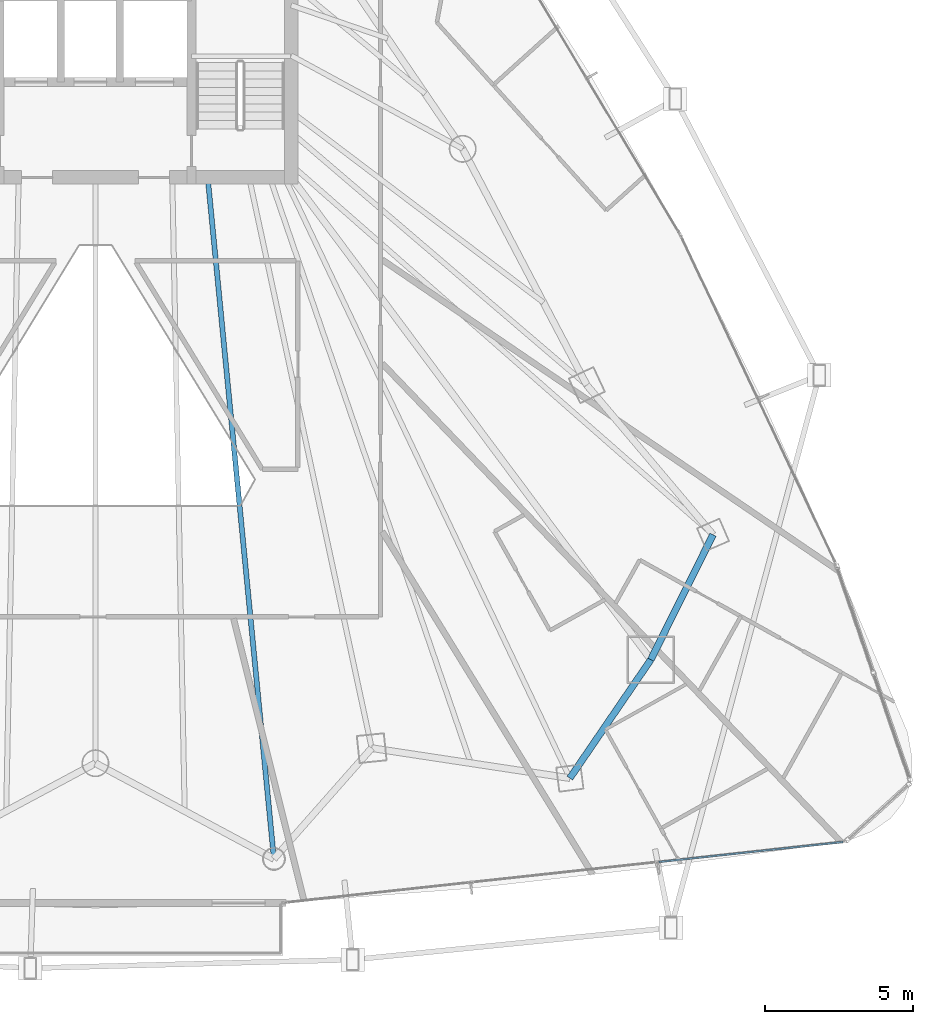
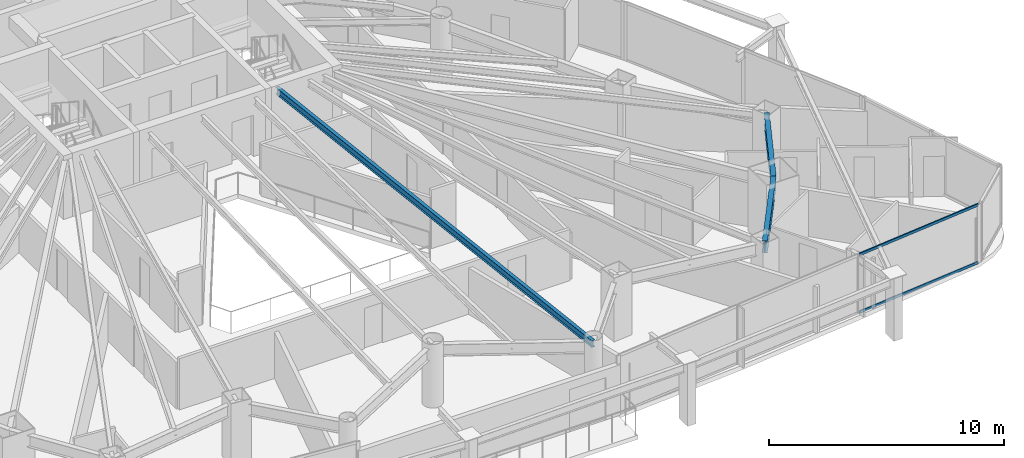
# One storey, part 13 of 34: 3 beams, 2 members, 1 element without a shape of its own.
"""IFC4 building model written with IfcOpenShell, lengths in metres."""

from ifc_helpers import new_model, si_unit, direction, frame, origin, origin_2d, place, context, subcontext, project, spatial, hollow_rectangle, i_section, extrude, material, layer, layer_set, material_profile, profile_set, type_object, element, aggregate, save


model = new_model("IFC4")

# Units and contexts
model_context = context("Model", 3, precision=1e-05, world=origin(), true_north=direction((0.0, 1.0)))
body_context = subcontext(model_context, "Body", "Model", "MODEL_VIEW")
ifc_project = project(units=[si_unit("LENGTHUNIT", "METRE"), si_unit("AREAUNIT", "SQUARE_METRE"), si_unit("VOLUMEUNIT", "CUBIC_METRE"), si_unit("PLANEANGLEUNIT", "RADIAN"), si_unit("MASSUNIT", "GRAM", prefix="KILO")], contexts=[model_context])

# Site, building, storey
site_placement = place(None, origin())
site = spatial("IfcSite", under=ifc_project, at=site_placement, CompositionType="ELEMENT")
building_placement = place(site_placement, origin())
building = spatial("IfcBuilding", under=site, at=building_placement, Name="Orvanel Arch Residences", CompositionType="ELEMENT")
storey_placement = place(building_placement, frame((0.0, 0.0, 80.75)))
storey = spatial("IfcBuildingStorey", under=building, at=storey_placement, Name="L22", CompositionType="ELEMENT", Elevation=80.75)

# Beams
ifc_material_1 = material(Name="Structural steel AS/NZS 3679.1 Grade 300 (300 MPa)", Category="steel")
ifc_material_profile_1 = material_profile(ifc_material_1, i_section(OverallWidth=0.1708984375, OverallDepth=0.35595703125, WebThickness=0.00732421875, FlangeThickness=0.011474609375, at=origin_2d()), Name="360UB50.7")
ifc_profile_set_1 = profile_set([ifc_material_profile_1], Name="Structural steel AS/NZS 3679.1 Grade 300 (300 MPa)")
beam_type_1 = type_object("IfcBeamType", Name="BJ-360UB", PredefinedType="JOIST", material=ifc_profile_set_1)
beam_1_placement = place(storey_placement, frame((36.800048828125, 26.675048828125, 2.882080078125), z_axis=(0.096724091756, -0.995311232768, 0.0), x_axis=(0.995311232768, 0.096724091756, 0.0)))
element("IfcBeam", 1, at=beam_1_placement, inside=storey, type_object=beam_type_1, Name="L22 LSE Wing Floor Joist", PredefinedType="JOIST", context=body_context, shape_type="SweptSolid", body=[
    extrude(i_section(OverallWidth=0.1708984375, OverallDepth=0.35595703125, WebThickness=0.00732421875, FlangeThickness=0.011474609375, at=origin_2d()), origin(), (0.0, 0.0, 1.0), 23.1787109375),
])
ifc_material_profile_2 = material_profile(ifc_material_1, i_section(OverallWidth=0.22900390625, OverallDepth=0.612060546875, WebThickness=0.011962890625, FlangeThickness=0.01953125, at=origin_2d()), Name="610UB125")
ifc_profile_set_2 = profile_set([ifc_material_profile_2], Name="Structural steel AS/NZS 3679.1 Grade 300 (300 MPa)")
beam_type_2 = type_object("IfcBeamType", Name="SP-610UB", PredefinedType="SPANDREL", material=ifc_profile_set_2)
beam_2_placement = place(storey_placement, frame((49.05908203125, 6.339111328125, 2.75390625), z_axis=(0.564251579852, 0.825602903722, 0.0), x_axis=(-0.825602903722, 0.564251579852, 0.0)))
element("IfcBeam", 2, at=beam_2_placement, inside=storey, type_object=beam_type_2, Name="L22 Perimeter Spandrel Beam 10", PredefinedType="SPANDREL", context=body_context, shape_type="SweptSolid", body=[
    extrude(i_section(OverallWidth=0.22900390625, OverallDepth=0.612060546875, WebThickness=0.011962890625, FlangeThickness=0.01953125, at=origin_2d()), origin(), (0.0, 0.0, 1.0), 4.859375),
])
beam_3_placement = place(storey_placement, frame((51.801025390625, 10.35107421875, 2.75390625), z_axis=(0.44543469453, 0.895314432425, 0.0), x_axis=(-0.895314432425, 0.44543469453, 0.0)))
element("IfcBeam", 3, at=beam_3_placement, inside=storey, type_object=beam_type_2, Name="L22 Perimeter Spandrel Beam 11", PredefinedType="SPANDREL", context=body_context, shape_type="SweptSolid", body=[
    extrude(i_section(OverallWidth=0.22900390625, OverallDepth=0.612060546875, WebThickness=0.011962890625, FlangeThickness=0.01953125, at=origin_2d()), origin(), (0.0, 0.0, 1.0), 4.723388671875),
])

# Curtain wall, members
ifc_material_2 = material(Name="Bronze-anodised aluminium AA6063-T6", Category="aluminium")
ifc_layer = layer(ifc_material_2, 0.179931640625)
ifc_layer_set = layer_set([ifc_layer], Name="Bronze-anodised aluminium AA6063-T6")
curtain_wall_type = type_object("IfcCurtainWallType", Name="CW2-LOW-SYS", PredefinedType="NOTDEFINED", material=ifc_layer_set)
curtain_wall_placement = place(storey_placement, origin())
curtain_wall = element("IfcCurtainWall", 4, at=curtain_wall_placement, inside=storey, type_object=curtain_wall_type, Name="L22 CW2-LOW-SYS Unitised Curtain Wall", PredefinedType="NOTDEFINED")
ifc_material_profile_3 = material_profile(ifc_material_2, hollow_rectangle(XDim=0.06005859375, YDim=0.135009765625, WallThickness=0.00390625, at=origin_2d()), Name="ALU135x60x4")
ifc_profile_set_3 = profile_set([ifc_material_profile_3], Name="Bronze-anodised aluminium AA6063-T6")
member_type = type_object("IfcMemberType", Name="TRN-135x60", PredefinedType="USERDEFINED", material=ifc_profile_set_3)
member_1_placement = place(storey_placement, frame((52.070556640625, 3.501220703125, 0.030029296875), z_axis=(0.994142734217, 0.10807508503, 0.0), x_axis=(-0.10807508503, 0.994142734217, 0.0)))
member_1 = element("IfcMember", 5, at=member_1_placement, type_object=member_type, Name="CW-S2 transom 3.1", ObjectType="TRANSOM", PredefinedType="USERDEFINED", context=body_context, shape_type="SweptSolid", body=[
    extrude(hollow_rectangle(XDim=0.06005859375, YDim=0.135009765625, WallThickness=0.00390625, at=origin_2d()), origin(), (0.0, 0.0, 1.0), 6.266357421875),
])
member_2_placement = place(storey_placement, frame((52.070556640625, 3.501220703125, 3.030029296875), z_axis=(0.994142734217, 0.10807508503, 0.0), x_axis=(-0.10807508503, 0.994142734217, 0.0)))
member_2 = element("IfcMember", 6, at=member_2_placement, type_object=member_type, Name="CW-S2 transom 3.2", ObjectType="TRANSOM", PredefinedType="USERDEFINED", context=body_context, shape_type="SweptSolid", body=[
    extrude(hollow_rectangle(XDim=0.06005859375, YDim=0.135009765625, WallThickness=0.00390625, at=origin_2d()), origin(), (0.0, 0.0, 1.0), 6.266357421875),
])
aggregate(curtain_wall, [member_1, member_2])

save(model, "model.ifc")
